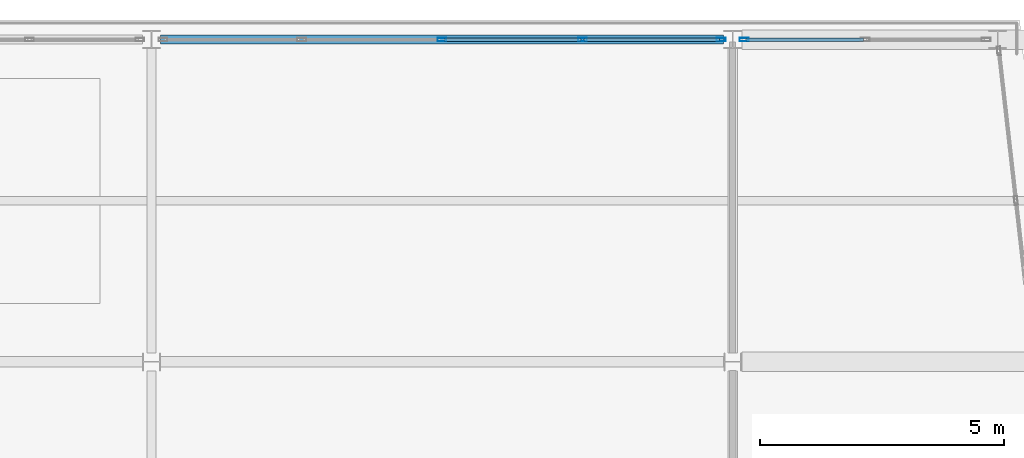
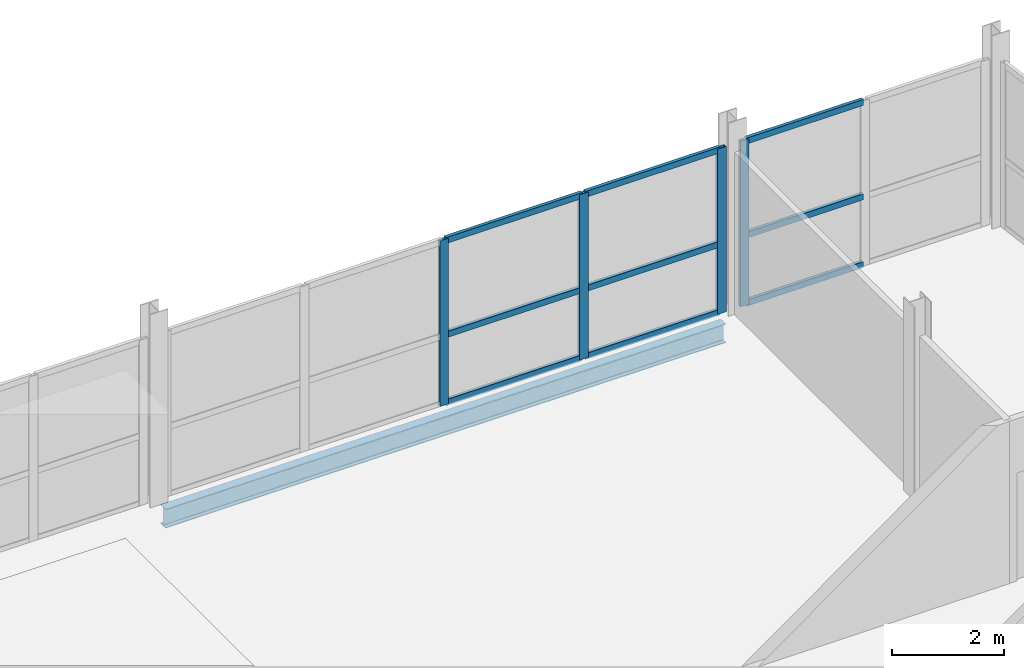
# One storey, part 11 of 19: 13 members, 1 beam, 2 elements without a shape of their own.
"""IFC4 building model written with IfcOpenShell, lengths in metres."""

from ifc_helpers import new_model, si_unit, direction, frame, origin, origin_2d, place, context, subcontext, project, spatial, hollow_rectangle, i_section, extrude, material, layer, layer_set, material_profile, profile_set, type_object, element, aggregate, save


model = new_model("IFC4")

# Units and contexts
model_context = context("Model", 3, precision=1e-05, world=origin(), true_north=direction((0.0, 1.0)))
body_context = subcontext(model_context, "Body", "Model", "MODEL_VIEW")
ifc_project = project(units=[si_unit("LENGTHUNIT", "METRE"), si_unit("AREAUNIT", "SQUARE_METRE"), si_unit("VOLUMEUNIT", "CUBIC_METRE"), si_unit("PLANEANGLEUNIT", "RADIAN"), si_unit("MASSUNIT", "GRAM", prefix="KILO")], contexts=[model_context])

# Site, building, storey
site_placement = place(None, origin())
site = spatial("IfcSite", under=ifc_project, at=site_placement, CompositionType="ELEMENT")
building_placement = place(site_placement, origin())
building = spatial("IfcBuilding", under=site, at=building_placement, Name="Quillay Park Conservatory", CompositionType="ELEMENT")
storey_placement = place(building_placement, frame((0.0, 0.0, 35.10009765625)))
storey = spatial("IfcBuildingStorey", under=building, at=storey_placement, Name="L08", CompositionType="ELEMENT", Elevation=35.10009765625)

# Curtain wall, members
ifc_material_1 = material(Name="Thermally Broken Anodised Aluminium 6063-T6", Category="aluminium")
ifc_layer = layer(ifc_material_1, 0.179931640625)
ifc_layer_set = layer_set([ifc_layer], Name="UNITISED CURTAIN WALL TOWER (Thermally Broken Anodised Aluminium 6063-T6)")
curtain_wall_type = type_object("IfcCurtainWallType", Name="UNITISED CURTAIN WALL TOWER", PredefinedType="USERDEFINED", material=ifc_layer_set)
curtain_wall_1_placement = place(storey_placement, origin())
curtain_wall_1 = element("IfcCurtainWall", 1, at=curtain_wall_1_placement, inside=storey, type_object=curtain_wall_type, Name="L08 Unitised Curtain Wall 085", ObjectType="UNITISED CURTAIN WALL", PredefinedType="USERDEFINED")
ifc_material_2 = material(Name="Thermally Broken Anodised Aluminium 6063-T6", Category="aluminium")
ifc_material_profile_1 = material_profile(ifc_material_2, hollow_rectangle(XDim=0.070068359375, YDim=0.179931640625, WallThickness=0.00390625, at=origin_2d()), Name="AL70x180x4")
ifc_profile_set_1 = profile_set([ifc_material_profile_1], Name="Thermally Broken Anodised Aluminium 6063-T6")
member_type_1 = type_object("IfcMemberType", Name="CURTAIN WALL MULLION 70 X180", PredefinedType="MULLION", material=ifc_profile_set_1)
member_1_placement = place(storey_placement, frame((13.800048828125, 113.39990234375, 0.0), z_axis=(0.0, 0.0, 1.0), x_axis=(0.0, 1.0, 0.0)))
member_1 = element("IfcMember", 2, at=member_1_placement, type_object=member_type_1, Name="CW-T1 mullion 3", PredefinedType="MULLION", context=body_context, shape_type="SweptSolid", body=[
    extrude(hollow_rectangle(XDim=0.070068359375, YDim=0.179931640625, WallThickness=0.00390625, at=origin_2d()), origin(), (0.0, 0.0, 1.0), 3.598876953125),
])
member_2_placement = place(storey_placement, frame((16.675048828125, 113.39990234375, 0.0), z_axis=(0.0, 0.0, 1.0), x_axis=(0.0, 1.0, 0.0)))
member_2 = element("IfcMember", 3, at=member_2_placement, type_object=member_type_1, Name="CW-T1 mullion 4", PredefinedType="MULLION", context=body_context, shape_type="SweptSolid", body=[
    extrude(hollow_rectangle(XDim=0.070068359375, YDim=0.179931640625, WallThickness=0.00390625, at=origin_2d()), origin(), (0.0, 0.0, 1.0), 3.598876953125),
])
member_3_placement = place(storey_placement, frame((19.514892578125, 113.39990234375, 0.0), z_axis=(0.0, 0.0, 1.0), x_axis=(0.0, 1.0, 0.0)))
member_3 = element("IfcMember", 4, at=member_3_placement, type_object=member_type_1, Name="CW-T1 mullion 5", PredefinedType="MULLION", context=body_context, shape_type="SweptSolid", body=[
    extrude(hollow_rectangle(XDim=0.070068359375, YDim=0.179931640625, WallThickness=0.00390625, at=origin_2d()), origin(), (0.0, 0.0, 1.0), 3.598876953125),
])

# Curtain wall, member
curtain_wall_2_placement = place(storey_placement, origin())
curtain_wall_2 = element("IfcCurtainWall", 5, at=curtain_wall_2_placement, inside=storey, type_object=curtain_wall_type, Name="L08 Unitised Curtain Wall 086", ObjectType="UNITISED CURTAIN WALL", PredefinedType="USERDEFINED")
member_4_placement = place(storey_placement, frame((19.985107421875, 113.39990234375, 0.0), z_axis=(0.0, 0.0, 1.0), x_axis=(0.0, 1.0, 0.0)))
member_4 = element("IfcMember", 6, at=member_4_placement, type_object=member_type_1, Name="CW-T1 mullion 1", PredefinedType="MULLION", context=body_context, shape_type="SweptSolid", body=[
    extrude(hollow_rectangle(XDim=0.070068359375, YDim=0.179931640625, WallThickness=0.00390625, at=origin_2d()), origin(), (0.0, 0.0, 1.0), 3.598876953125),
])

# Member
ifc_material_3 = material(Name="Thermally Broken Anodised Aluminium 6063-T6", Category="aluminium")
ifc_material_profile_2 = material_profile(ifc_material_3, hollow_rectangle(XDim=0.070068359375, YDim=0.1298828125, WallThickness=0.003173828125, at=origin_2d()), Name="AL70x130x3.2")
ifc_profile_set_2 = profile_set([ifc_material_profile_2], Name="Thermally Broken Anodised Aluminium 6063-T6")
member_type_2 = type_object("IfcMemberType", Name="CURTAIN WALL TRANSOM 70 X130", PredefinedType="USERDEFINED", material=ifc_profile_set_2)
member_5_placement = place(storey_placement, frame((13.8349609375, 113.39990234375, 0.034912109375), z_axis=(1.0, 0.0, 0.0), x_axis=(0.0, 1.0, 0.0)))
member_5 = element("IfcMember", 7, at=member_5_placement, type_object=member_type_2, Name="CW-T1 transom 3.1", ObjectType="TRANSOM", PredefinedType="USERDEFINED", context=body_context, shape_type="SweptSolid", body=[
    extrude(hollow_rectangle(XDim=0.070068359375, YDim=0.1298828125, WallThickness=0.003173828125, at=origin_2d()), origin(), (0.0, 0.0, 1.0), 2.804931640625),
])

member_6_placement = place(storey_placement, frame((13.8349609375, 113.39990234375, 1.511474609375), z_axis=(1.0, 0.0, 0.0), x_axis=(0.0, 1.0, 0.0)))
member_6 = element("IfcMember", 8, at=member_6_placement, type_object=member_type_2, Name="CW-T1 transom 3.2", ObjectType="TRANSOM", PredefinedType="USERDEFINED", context=body_context, shape_type="SweptSolid", body=[
    extrude(hollow_rectangle(XDim=0.070068359375, YDim=0.1298828125, WallThickness=0.003173828125, at=origin_2d()), origin(), (0.0, 0.0, 1.0), 2.804931640625),
])

member_7_placement = place(storey_placement, frame((13.8349609375, 113.39990234375, 3.56396484375), z_axis=(1.0, 0.0, 0.0), x_axis=(0.0, 1.0, 0.0)))
member_7 = element("IfcMember", 9, at=member_7_placement, type_object=member_type_2, Name="CW-T1 transom 3.3", ObjectType="TRANSOM", PredefinedType="USERDEFINED", context=body_context, shape_type="SweptSolid", body=[
    extrude(hollow_rectangle(XDim=0.070068359375, YDim=0.1298828125, WallThickness=0.003173828125, at=origin_2d()), origin(), (0.0, 0.0, 1.0), 2.804931640625),
])

member_8_placement = place(storey_placement, frame((16.7099609375, 113.39990234375, 0.034912109375), z_axis=(1.0, 0.0, 0.0), x_axis=(0.0, 1.0, 0.0)))
member_8 = element("IfcMember", 10, at=member_8_placement, type_object=member_type_2, Name="CW-T1 transom 4.1", ObjectType="TRANSOM", PredefinedType="USERDEFINED", context=body_context, shape_type="SweptSolid", body=[
    extrude(hollow_rectangle(XDim=0.070068359375, YDim=0.1298828125, WallThickness=0.003173828125, at=origin_2d()), origin(), (0.0, 0.0, 1.0), 2.77001953125),
])

member_9_placement = place(storey_placement, frame((16.7099609375, 113.39990234375, 1.511474609375), z_axis=(1.0, 0.0, 0.0), x_axis=(0.0, 1.0, 0.0)))
member_9 = element("IfcMember", 11, at=member_9_placement, type_object=member_type_2, Name="CW-T1 transom 4.2", ObjectType="TRANSOM", PredefinedType="USERDEFINED", context=body_context, shape_type="SweptSolid", body=[
    extrude(hollow_rectangle(XDim=0.070068359375, YDim=0.1298828125, WallThickness=0.003173828125, at=origin_2d()), origin(), (0.0, 0.0, 1.0), 2.77001953125),
])

member_10_placement = place(storey_placement, frame((16.7099609375, 113.39990234375, 3.56396484375), z_axis=(1.0, 0.0, 0.0), x_axis=(0.0, 1.0, 0.0)))
member_10 = element("IfcMember", 12, at=member_10_placement, type_object=member_type_2, Name="CW-T1 transom 4.3", ObjectType="TRANSOM", PredefinedType="USERDEFINED", context=body_context, shape_type="SweptSolid", body=[
    extrude(hollow_rectangle(XDim=0.070068359375, YDim=0.1298828125, WallThickness=0.003173828125, at=origin_2d()), origin(), (0.0, 0.0, 1.0), 2.77001953125),
])

aggregate(curtain_wall_1, [member_1, member_2, member_3, member_5, member_6, member_7, member_8, member_9, member_10])

member_11_placement = place(storey_placement, frame((20.02001953125, 113.39990234375, 0.034912109375), z_axis=(1.0, 0.0, 0.0), x_axis=(0.0, 1.0, 0.0)))
member_11 = element("IfcMember", 13, at=member_11_placement, type_object=member_type_2, Name="CW-T1 transom 1.1", ObjectType="TRANSOM", PredefinedType="USERDEFINED", context=body_context, shape_type="SweptSolid", body=[
    extrude(hollow_rectangle(XDim=0.070068359375, YDim=0.1298828125, WallThickness=0.003173828125, at=origin_2d()), origin(), (0.0, 0.0, 1.0), 2.407470703125),
])

member_12_placement = place(storey_placement, frame((20.02001953125, 113.39990234375, 1.511474609375), z_axis=(1.0, 0.0, 0.0), x_axis=(0.0, 1.0, 0.0)))
member_12 = element("IfcMember", 14, at=member_12_placement, type_object=member_type_2, Name="CW-T1 transom 1.2", ObjectType="TRANSOM", PredefinedType="USERDEFINED", context=body_context, shape_type="SweptSolid", body=[
    extrude(hollow_rectangle(XDim=0.070068359375, YDim=0.1298828125, WallThickness=0.003173828125, at=origin_2d()), origin(), (0.0, 0.0, 1.0), 2.407470703125),
])

member_13_placement = place(storey_placement, frame((20.02001953125, 113.39990234375, 3.56396484375), z_axis=(1.0, 0.0, 0.0), x_axis=(0.0, 1.0, 0.0)))
member_13 = element("IfcMember", 15, at=member_13_placement, type_object=member_type_2, Name="CW-T1 transom 1.3", ObjectType="TRANSOM", PredefinedType="USERDEFINED", context=body_context, shape_type="SweptSolid", body=[
    extrude(hollow_rectangle(XDim=0.070068359375, YDim=0.1298828125, WallThickness=0.003173828125, at=origin_2d()), origin(), (0.0, 0.0, 1.0), 2.407470703125),
])

aggregate(curtain_wall_2, [member_4, member_11, member_12, member_13])

# Beam
ifc_material_4 = material(Name="Steel ASTM A992 Grade 50", Category="steel")
ifc_material_profile_3 = material_profile(ifc_material_4, i_section(OverallWidth=0.179931640625, OverallDepth=0.4130859375, WebThickness=0.009765625, FlangeThickness=0.01611328125, FilletRadius=0.011962890625, at=origin_2d()), Name="W410x74")
ifc_profile_set_3 = profile_set([ifc_material_profile_3], Name="Steel ASTM A992 Grade 50")
beam_type = type_object("IfcBeamType", Name="PERIMETER SPANDREL BEAM W410 X74", PredefinedType="SPANDREL", material=ifc_profile_set_3)
beam_placement = place(storey_placement, frame((8.035888671875, 113.39990234375, -0.421630859375), z_axis=(1.0, 0.0, 0.0), x_axis=(0.0, 1.0, 0.0)))
element("IfcBeam", 16, at=beam_placement, inside=storey, type_object=beam_type, Name="L08 beam BM-SP-0604", PredefinedType="SPANDREL", context=body_context, shape_type="SweptSolid", body=[
    extrude(i_section(OverallWidth=0.179931640625, OverallDepth=0.4130859375, WebThickness=0.009765625, FlangeThickness=0.01611328125, FilletRadius=0.011962890625, at=origin_2d()), origin(), (0.0, 0.0, 1.0), 11.528076171875),
])

save(model, "model.ifc")
